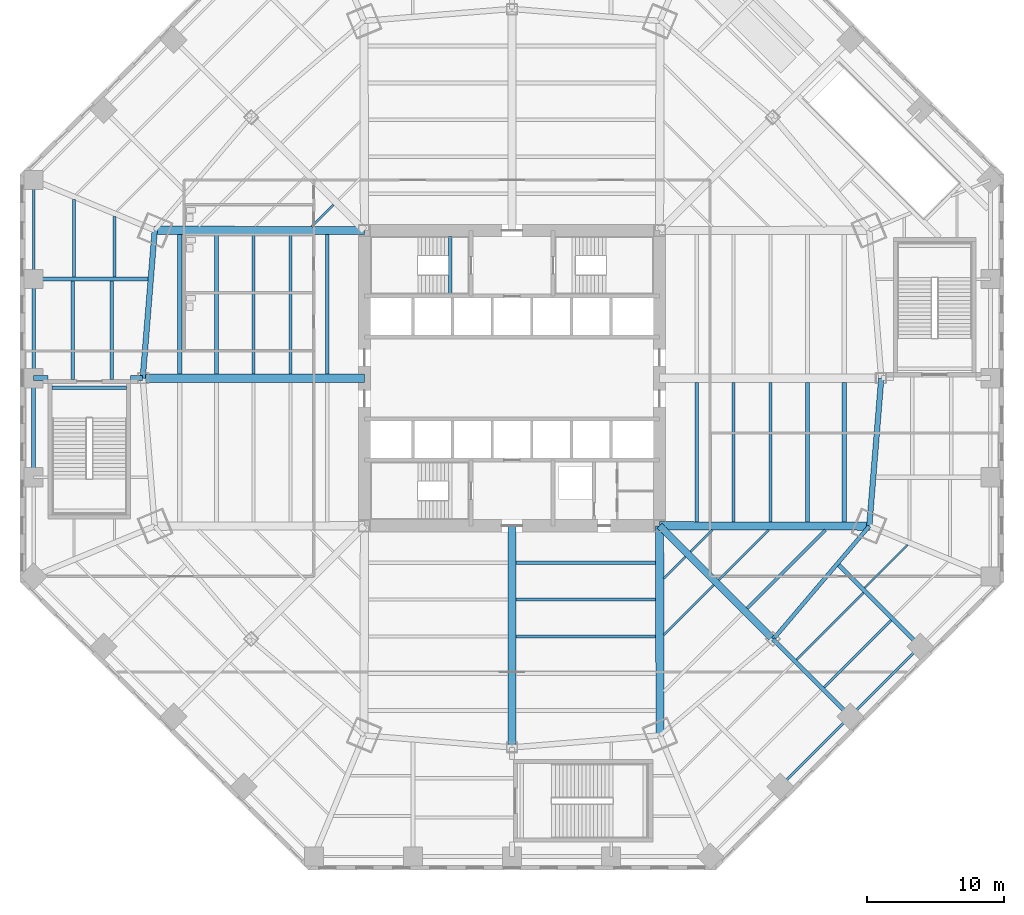
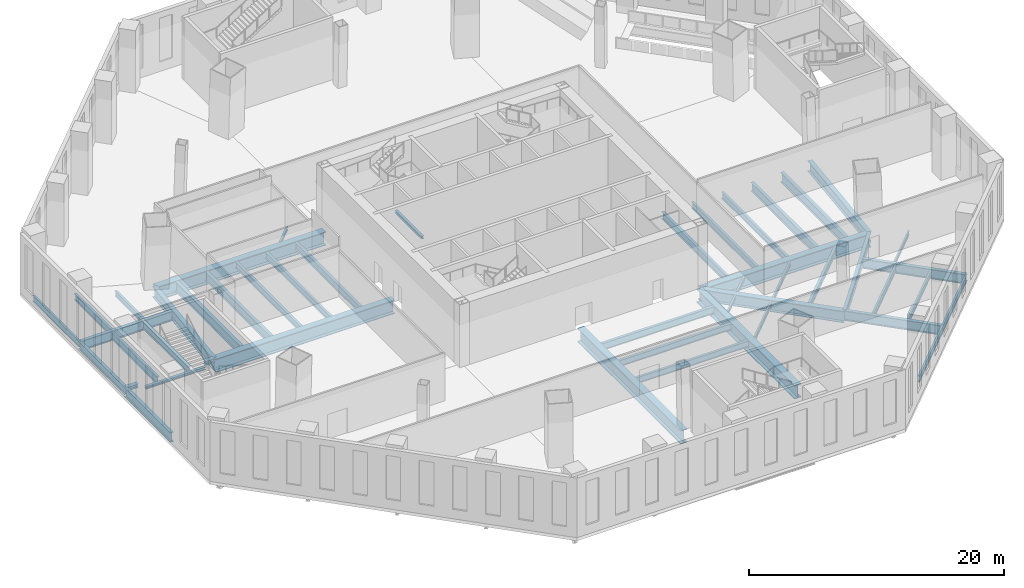
# One storey, part 3 of 20: 45 beams, 2 members.
"""IFC4 building model written with IfcOpenShell, lengths in metres."""

from ifc_helpers import new_model, si_unit, direction, frame, origin, origin_2d, place, context, subcontext, project, spatial, i_section, extrude, source, transform, mapped, material, material_profile, profile_set, type_object, type_shapes, element, save


model = new_model("IFC4")

# Units and contexts
model_context = context("Model", 3, precision=1e-05, world=origin(), true_north=direction((0.0, 1.0)))
body_context = subcontext(model_context, "Body", "Model", "MODEL_VIEW")
ifc_project = project(units=[si_unit("LENGTHUNIT", "METRE"), si_unit("AREAUNIT", "SQUARE_METRE"), si_unit("VOLUMEUNIT", "CUBIC_METRE"), si_unit("PLANEANGLEUNIT", "RADIAN"), si_unit("MASSUNIT", "GRAM", prefix="KILO")], contexts=[model_context])

# Site, building, storey
site_placement = place(None, origin())
site = spatial("IfcSite", under=ifc_project, at=site_placement, CompositionType="ELEMENT")
building_placement = place(site_placement, origin())
building = spatial("IfcBuilding", under=site, at=building_placement, Name="Mashrafa Tower", CompositionType="ELEMENT")
storey_placement = place(building_placement, frame((0.0, 0.0, 7.199951171875)))
storey = spatial("IfcBuildingStorey", under=building, at=storey_placement, Name="L01", CompositionType="ELEMENT", Elevation=7.199951171875)

# Beams
ifc_material_1 = material(Name="Steel ASTM A572 Gr 50", Category="steel")
ifc_material_profile_1 = material_profile(ifc_material_1, i_section(OverallWidth=0.5, OverallDepth=1.10009765625, WebThickness=0.02490234375, FlangeThickness=0.050048828125, at=origin_2d()), Name="H1100X500X25X50")
ifc_profile_set_1 = profile_set([ifc_material_profile_1], Name="Steel ASTM A572 Gr 50")
beam_type_1 = type_object("IfcBeamType", Name="Beam H1100X500X25X50", PredefinedType="BEAM", material=ifc_profile_set_1)
beam_1_placement = place(storey_placement, frame((10.800048828125, -10.800048828125, -0.849853515625), z_axis=(0.707106781187, -0.707106781187, 0.0), x_axis=(0.707106781187, 0.707106781187, 0.0)))
element("IfcBeam", 1, at=beam_1_placement, inside=storey, type_object=beam_type_1, Name="Radial girder L01 219", PredefinedType="BEAM", context=body_context, shape_type="SweptSolid", body=[
    extrude(i_section(OverallWidth=0.5, OverallDepth=1.10009765625, WebThickness=0.02490234375, FlangeThickness=0.050048828125, at=origin_2d()), origin(), (0.0, 0.0, 1.0), 11.74609375),
])
ifc_material_2 = material(Name="Steel ASTM A572 Gr 50", Category="steel")
ifc_material_profile_2 = material_profile(ifc_material_2, i_section(OverallWidth=0.60009765625, OverallDepth=1.300048828125, WebThickness=0.028076171875, FlangeThickness=0.06494140625, at=origin_2d()), Name="H1300X600X28X65")
ifc_profile_set_2 = profile_set([ifc_material_profile_2], Name="Steel ASTM A572 Gr 50")
beam_type_2 = type_object("IfcBeamType", Name="Beam H1300X600X28X65", PredefinedType="BEAM", material=ifc_profile_set_2)
beam_2_placement = place(storey_placement, frame((-10.800048828125, 0.0, -0.949951171875), z_axis=(-1.0, 0.0, 0.0), x_axis=(0.0, -1.0, 0.0)))
element("IfcBeam", 2, at=beam_2_placement, inside=storey, type_object=beam_type_2, Name="Radial girder L01 212", PredefinedType="BEAM", context=body_context, shape_type="SweptSolid", body=[
    extrude(i_section(OverallWidth=0.60009765625, OverallDepth=1.300048828125, WebThickness=0.028076171875, FlangeThickness=0.06494140625, at=origin_2d()), origin(), (0.0, 0.0, 1.0), 16.219482421875),
])
beam_3_placement = place(storey_placement, frame((-10.800048828125, 10.800048828125, -0.949951171875), z_axis=(-0.999998325366, 0.001830099739, 0.0), x_axis=(-0.001830099739, -0.999998325366, 0.0)))
element("IfcBeam", 3, at=beam_3_placement, inside=storey, type_object=beam_type_2, Name="Radial girder L01 213", PredefinedType="BEAM", context=body_context, shape_type="SweptSolid", body=[
    extrude(i_section(OverallWidth=0.60009765625, OverallDepth=1.300048828125, WebThickness=0.028076171875, FlangeThickness=0.06494140625, at=origin_2d()), origin(), (0.0, 0.0, 1.0), 15.34130859375),
])
beam_4_placement = place(storey_placement, frame((0.0, -10.800048828125, -0.949951171875), z_axis=(0.0, -1.0, 0.0), x_axis=(1.0, 0.0, 0.0)))
element("IfcBeam", 4, at=beam_4_placement, inside=storey, type_object=beam_type_2, Name="Radial girder L01 216", PredefinedType="BEAM", context=body_context, shape_type="SweptSolid", body=[
    extrude(i_section(OverallWidth=0.60009765625, OverallDepth=1.300048828125, WebThickness=0.028076171875, FlangeThickness=0.06494140625, at=origin_2d()), origin(), (0.0, 0.0, 1.0), 16.219482421875),
])
for number, where, z_axis, x_axis, name in (
    (5, (10.800048828125, -10.800048828125, -0.949951171875), (0.001830099739, -0.999998325366, 0.0), (0.999998325366, 0.001830099739, 0.0), "Radial girder L01 218"),
    (6, (10.800048828125, -10.800048828125, -0.949951171875), (0.999998325366, -0.001830099739, 0.0), (0.001830099739, 0.999998325366, 0.0), "Radial girder L01 220"),
):
    element("IfcBeam", number, at=place(storey_placement, frame(where, z_axis=z_axis, x_axis=x_axis)), inside=storey, type_object=beam_type_2, Name=name, PredefinedType="BEAM", context=body_context, shape_type="SweptSolid", body=[
        extrude(i_section(OverallWidth=0.60009765625, OverallDepth=1.300048828125, WebThickness=0.028076171875, FlangeThickness=0.06494140625, at=origin_2d()), origin(), (0.0, 0.0, 1.0), 15.34130859375),
    ])
ifc_material_3 = material(Name="Steel ASTM A992", Category="steel")
ifc_material_profile_3 = material_profile(ifc_material_3, i_section(OverallWidth=0.164794921875, OverallDepth=0.309814453125, WebThickness=0.005859375, FlangeThickness=0.009765625, FilletRadius=0.007568359375, at=origin_2d()), Name="W12X26")
ifc_profile_set_3 = profile_set([ifc_material_profile_3], Name="Steel ASTM A992")
beam_type_3 = type_object("IfcBeamType", Name="Beam W12X26", PredefinedType="BEAM", material=ifc_profile_set_3)
for number, where, z_axis, x_axis, name in (
    (7, (-14.645751953125, 11.107177734375, -0.454833984375), (0.707106781187, 0.707106781187, 0.0), (-0.707106781187, 0.707106781187, 0.0), "Floor beam L01 035"),
    (8, (12.69970703125, -13.05322265625, -0.454833984375), (-0.707106781187, -0.707106781187, 0.0), (0.707106781187, -0.707106781187, 0.0), "Floor beam L01 080"),
    (9, (14.645751953125, -11.107177734375, -0.454833984375), (-0.707106781187, -0.707106781187, 0.0), (0.707106781187, -0.707106781187, 0.0), "Floor beam L01 086"),
):
    element("IfcBeam", number, at=place(storey_placement, frame(where, z_axis=z_axis, x_axis=x_axis)), inside=storey, type_object=beam_type_3, Name=name, PredefinedType="BEAM", context=body_context, shape_type="SweptSolid", body=[
        extrude(i_section(OverallWidth=0.164794921875, OverallDepth=0.309814453125, WebThickness=0.005859375, FlangeThickness=0.009765625, FilletRadius=0.007568359375, at=origin_2d()), origin(), (0.0, 0.0, 1.0), 2.252197265625),
    ])
ifc_material_4 = material(Name="Steel ASTM A992", Category="steel")
ifc_material_profile_4 = material_profile(ifc_material_4, i_section(OverallWidth=0.140380859375, OverallDepth=0.40380859375, WebThickness=0.007080078125, FlangeThickness=0.01123046875, FilletRadius=0.01025390625, at=origin_2d()), Name="W16X31")
ifc_profile_set_4 = profile_set([ifc_material_profile_4], Name="Steel ASTM A992")
beam_type_4 = type_object("IfcBeamType", Name="Beam W16X31", PredefinedType="BEAM", material=ifc_profile_set_4)
beam_5_placement = place(storey_placement, frame((28.940673828125, -12.204833984375, -0.501953125), z_axis=(-0.707106781187, -0.707106781187, 0.0), x_axis=(0.707106781187, -0.707106781187, 0.0)))
element("IfcBeam", 10, at=beam_5_placement, inside=storey, type_object=beam_type_4, Name="Floor beam L01 111", PredefinedType="BEAM", context=body_context, shape_type="SweptSolid", body=[
    extrude(i_section(OverallWidth=0.140380859375, OverallDepth=0.40380859375, WebThickness=0.007080078125, FlangeThickness=0.01123046875, FilletRadius=0.01025390625, at=origin_2d()), origin(), (0.0, 0.0, 1.0), 4.431396484375),
])
ifc_material_5 = material(Name="Steel ASTM A992", Category="steel")
ifc_material_profile_5 = material_profile(ifc_material_5, i_section(OverallWidth=0.15234375, OverallDepth=0.449462890625, WebThickness=0.007568359375, FlangeThickness=0.0107421875, FilletRadius=0.01025390625, at=origin_2d()), Name="W18X35")
ifc_profile_set_5 = profile_set([ifc_material_profile_5], Name="Steel ASTM A992")
beam_type_5 = type_object("IfcBeamType", Name="Beam W18X35", PredefinedType="BEAM", material=ifc_profile_set_5)
for number, where, z_axis, x_axis, name in (
    (11, (14.776123046875, -15.129638671875, -0.524658203125), (-0.707106781187, -0.707106781187, 0.0), (0.707106781187, -0.707106781187, 0.0), "Floor beam L01 087"),
    (12, (18.791015625, -11.11474609375, -0.524658203125), (-0.707106781187, -0.707106781187, 0.0), (0.707106781187, -0.707106781187, 0.0), "Floor beam L01 099"),
):
    element("IfcBeam", number, at=place(storey_placement, frame(where, z_axis=z_axis, x_axis=x_axis)), inside=storey, type_object=beam_type_5, Name=name, PredefinedType="BEAM", context=body_context, shape_type="SweptSolid", body=[
        extrude(i_section(OverallWidth=0.15234375, OverallDepth=0.449462890625, WebThickness=0.007568359375, FlangeThickness=0.0107421875, FilletRadius=0.01025390625, at=origin_2d()), origin(), (0.0, 0.0, 1.0), 5.177978515625),
    ])
ifc_material_6 = material(Name="Steel ASTM A992", Category="steel")
ifc_material_profile_6 = material_profile(ifc_material_6, i_section(OverallWidth=0.1650390625, OverallDepth=0.52587890625, WebThickness=0.0087890625, FlangeThickness=0.011474609375, FilletRadius=0.0126953125, at=origin_2d()), Name="W21X44")
ifc_profile_set_6 = profile_set([ifc_material_profile_6], Name="Steel ASTM A992")
beam_type_6 = type_object("IfcBeamType", Name="Beam W21X44", PredefinedType="BEAM", material=ifc_profile_set_6)
beam_6_placement = place(storey_placement, frame((27.74609375, -17.712158203125, -0.562744140625), z_axis=(-0.707089195184, -0.707124366752, 0.0), x_axis=(0.707124366752, -0.707089195184, 0.0)))
element("IfcBeam", 13, at=beam_6_placement, inside=storey, type_object=beam_type_6, Name="Floor beam L01 109", PredefinedType="BEAM", context=body_context, shape_type="SweptSolid", body=[
    extrude(i_section(OverallWidth=0.1650390625, OverallDepth=0.52587890625, WebThickness=0.0087890625, FlangeThickness=0.011474609375, FilletRadius=0.0126953125, at=origin_2d()), origin(), (0.0, 0.0, 1.0), 6.94140625),
])
ifc_material_7 = material(Name="Steel ASTM A992", Category="steel")
ifc_material_profile_7 = material_profile(ifc_material_7, i_section(OverallWidth=0.209228515625, OverallDepth=0.533447265625, WebThickness=0.01025390625, FlangeThickness=0.015625, FilletRadius=0.012939453125, at=origin_2d()), Name="W21X62")
ifc_profile_set_7 = profile_set([ifc_material_profile_7], Name="Steel ASTM A992")
beam_type_7 = type_object("IfcBeamType", Name="Beam W21X62", PredefinedType="BEAM", material=ifc_profile_set_7)
beam_7_placement = place(storey_placement, frame((-29.09423828125, 7.40234375, -0.566650390625), z_axis=(0.0, 1.0, 0.0), x_axis=(-1.0, 0.0, 0.0)))
element("IfcBeam", 14, at=beam_7_placement, inside=storey, type_object=beam_type_7, Name="Floor beam L01 007", PredefinedType="BEAM", context=body_context, shape_type="SweptSolid", body=[
    extrude(i_section(OverallWidth=0.209228515625, OverallDepth=0.533447265625, WebThickness=0.01025390625, FlangeThickness=0.015625, FilletRadius=0.012939453125, at=origin_2d()), origin(), (0.0, 0.0, 1.0), 4.431640625),
])
ifc_material_8 = material(Name="Steel ASTM A992", Category="steel")
ifc_material_profile_8 = material_profile(ifc_material_8, i_section(OverallWidth=0.177978515625, OverallDepth=0.599365234375, WebThickness=0.010009765625, FlangeThickness=0.012939453125, FilletRadius=0.012939453125, at=origin_2d()), Name="W24X55")
ifc_profile_set_8 = profile_set([ifc_material_profile_8], Name="Steel ASTM A992")
beam_type_8 = type_object("IfcBeamType", Name="Beam W24X55", PredefinedType="BEAM", material=ifc_profile_set_8)
beam_8_placement = place(storey_placement, frame((25.7265625, -15.692626953125, -0.599609375), z_axis=(-0.707106781187, -0.707106781187, 0.0), x_axis=(0.707106781187, -0.707106781187, 0.0)))
element("IfcBeam", 15, at=beam_8_placement, inside=storey, type_object=beam_type_8, Name="Floor beam L01 108", PredefinedType="BEAM", context=body_context, shape_type="SweptSolid", body=[
    extrude(i_section(OverallWidth=0.177978515625, OverallDepth=0.599365234375, WebThickness=0.010009765625, FlangeThickness=0.012939453125, FilletRadius=0.012939453125, at=origin_2d()), origin(), (0.0, 0.0, 1.0), 6.941162109375),
])
for number, where, z_axis, x_axis, name in (
    (16, (-35.0, 14.49755859375, -0.599609375), (0.0, -1.0, 0.0), (1.0, 0.0, 0.0), "Podium edge beam L01 123"),
    (17, (19.623046875, -29.87451171875, -0.599609375), (0.707106781187, 0.707106781187, 0.0), (-0.707106781187, 0.707106781187, 0.0), "Podium edge beam L01 140"),
    (18, (24.748779296875, -24.748779296875, -0.599609375), (0.707106781187, 0.707106781187, 0.0), (-0.707106781187, 0.707106781187, 0.0), "Podium edge beam L01 142"),
):
    element("IfcBeam", number, at=place(storey_placement, frame(where, z_axis=z_axis, x_axis=x_axis)), inside=storey, type_object=beam_type_8, Name=name, PredefinedType="BEAM", context=body_context, shape_type="SweptSolid", body=[
        extrude(i_section(OverallWidth=0.177978515625, OverallDepth=0.599365234375, WebThickness=0.010009765625, FlangeThickness=0.012939453125, FilletRadius=0.012939453125, at=origin_2d()), origin(), (0.0, 0.0, 1.0), 7.248779296875),
    ])
ifc_material_9 = material(Name="Steel ASTM A992", Category="steel")
ifc_material_profile_9 = material_profile(ifc_material_9, i_section(OverallWidth=0.227783203125, OverallDepth=0.60205078125, WebThickness=0.010498046875, FlangeThickness=0.014892578125, FilletRadius=0.012939453125, at=origin_2d()), Name="W24X68")
ifc_profile_set_9 = profile_set([ifc_material_profile_9], Name="Steel ASTM A992")
beam_type_9 = type_object("IfcBeamType", Name="Beam W24X68", PredefinedType="BEAM", material=ifc_profile_set_9)
beam_9_placement = place(storey_placement, frame((-32.047119140625, 7.40234375, -0.600830078125), z_axis=(0.0, 1.0, 0.0), x_axis=(-1.0, 0.0, 0.0)))
element("IfcBeam", 19, at=beam_9_placement, inside=storey, type_object=beam_type_9, Name="Floor beam L01 003", PredefinedType="BEAM", context=body_context, shape_type="SweptSolid", body=[
    extrude(i_section(OverallWidth=0.227783203125, OverallDepth=0.60205078125, WebThickness=0.010498046875, FlangeThickness=0.014892578125, FilletRadius=0.012939453125, at=origin_2d()), origin(), (0.0, 0.0, 1.0), 5.65478515625),
])
beam_10_placement = place(storey_placement, frame((22.936279296875, -11.122314453125, -0.600830078125), z_axis=(-0.707106781187, -0.707106781187, 0.0), x_axis=(0.707106781187, -0.707106781187, 0.0)))
element("IfcBeam", 20, at=beam_10_placement, inside=storey, type_object=beam_type_9, Name="Floor beam L01 104", PredefinedType="BEAM", context=body_context, shape_type="SweptSolid", body=[
    extrude(i_section(OverallWidth=0.227783203125, OverallDepth=0.60205078125, WebThickness=0.010498046875, FlangeThickness=0.014892578125, FilletRadius=0.012939453125, at=origin_2d()), origin(), (0.0, 0.0, 1.0), 8.103759765625),
])
ifc_material_10 = material(Name="Steel ASTM A992", Category="steel")
ifc_material_profile_10 = material_profile(ifc_material_10, i_section(OverallWidth=0.228271484375, OverallDepth=0.607177734375, WebThickness=0.01123046875, FlangeThickness=0.017333984375, FilletRadius=0.0126953125, at=origin_2d()), Name="W24X76")
ifc_profile_set_10 = profile_set([ifc_material_profile_10], Name="Steel ASTM A992")
beam_type_10 = type_object("IfcBeamType", Name="Beam W24X76", PredefinedType="BEAM", material=ifc_profile_set_10)
beam_11_placement = place(storey_placement, frame((-18.909912109375, 0.300048828125, -0.603515625), z_axis=(0.0, 1.0, 0.0), x_axis=(-1.0, 0.0, 0.0)))
element("IfcBeam", 21, at=beam_11_placement, inside=storey, type_object=beam_type_10, Name="Floor beam L01 024", PredefinedType="BEAM", context=body_context, shape_type="SweptSolid", body=[
    extrude(i_section(OverallWidth=0.228271484375, OverallDepth=0.607177734375, WebThickness=0.01123046875, FlangeThickness=0.017333984375, FilletRadius=0.0126953125, at=origin_2d()), origin(), (0.0, 0.0, 1.0), 10.21484375),
])
for number, where, z_axis, x_axis, name in (
    (22, (-16.20654296875, 0.300048828125, -0.603515625), (0.0, 1.0, 0.0), (-1.0, 0.0, 0.0), "Floor beam L01 030"),
    (23, (10.510009765625, -16.20654296875, -0.603515625), (-1.0, 0.0, 0.0), (0.0, -1.0, 0.0), "Floor beam L01 072"),
):
    element("IfcBeam", number, at=place(storey_placement, frame(where, z_axis=z_axis, x_axis=x_axis)), inside=storey, type_object=beam_type_10, Name=name, PredefinedType="BEAM", context=body_context, shape_type="SweptSolid", body=[
        extrude(i_section(OverallWidth=0.228271484375, OverallDepth=0.607177734375, WebThickness=0.01123046875, FlangeThickness=0.017333984375, FilletRadius=0.0126953125, at=origin_2d()), origin(), (0.0, 0.0, 1.0), 10.2099609375),
    ])
beam_12_placement = place(storey_placement, frame((10.514892578125, -18.909912109375, -0.603515625), z_axis=(-1.0, 0.0, 0.0), x_axis=(0.0, -1.0, 0.0)))
element("IfcBeam", 24, at=beam_12_placement, inside=storey, type_object=beam_type_10, Name="Floor beam L01 073", PredefinedType="BEAM", context=body_context, shape_type="SweptSolid", body=[
    extrude(i_section(OverallWidth=0.228271484375, OverallDepth=0.607177734375, WebThickness=0.01123046875, FlangeThickness=0.017333984375, FilletRadius=0.0126953125, at=origin_2d()), origin(), (0.0, 0.0, 1.0), 10.21484375),
])
beam_13_placement = place(storey_placement, frame((16.20654296875, -0.300048828125, -0.603515625), z_axis=(0.0, -1.0, 0.0), x_axis=(1.0, 0.0, 0.0)))
element("IfcBeam", 25, at=beam_13_placement, inside=storey, type_object=beam_type_10, Name="Floor beam L01 091", PredefinedType="BEAM", context=body_context, shape_type="SweptSolid", body=[
    extrude(i_section(OverallWidth=0.228271484375, OverallDepth=0.607177734375, WebThickness=0.01123046875, FlangeThickness=0.017333984375, FilletRadius=0.0126953125, at=origin_2d()), origin(), (0.0, 0.0, 1.0), 10.2099609375),
])
beam_14_placement = place(storey_placement, frame((18.909912109375, -0.300048828125, -0.603515625), z_axis=(0.0, -1.0, 0.0), x_axis=(1.0, 0.0, 0.0)))
element("IfcBeam", 26, at=beam_14_placement, inside=storey, type_object=beam_type_10, Name="Floor beam L01 097", PredefinedType="BEAM", context=body_context, shape_type="SweptSolid", body=[
    extrude(i_section(OverallWidth=0.228271484375, OverallDepth=0.607177734375, WebThickness=0.01123046875, FlangeThickness=0.017333984375, FilletRadius=0.0126953125, at=origin_2d()), origin(), (0.0, 0.0, 1.0), 10.21484375),
])
ifc_material_11 = material(Name="Steel ASTM A992", Category="steel")
ifc_material_profile_11 = material_profile(ifc_material_11, i_section(OverallWidth=0.256591796875, OverallDepth=0.693359375, WebThickness=0.014404296875, FlangeThickness=0.023681640625, FilletRadius=0.01513671875, at=origin_2d()), Name="W27X114")
ifc_profile_set_11 = profile_set([ifc_material_profile_11], Name="Steel ASTM A992")
beam_type_11 = type_object("IfcBeamType", Name="Beam W27X114", PredefinedType="BEAM", material=ifc_profile_set_11)
beam_15_placement = place(storey_placement, frame((-29.28759765625, -0.10009765625, -0.646728515625), z_axis=(0.0, 1.0, 0.0), x_axis=(-1.0, 0.0, 0.0)))
element("IfcBeam", 27, at=beam_15_placement, inside=storey, type_object=beam_type_11, Name="Floor beam L01 005", PredefinedType="BEAM", context=body_context, shape_type="SweptSolid", body=[
    extrude(i_section(OverallWidth=0.256591796875, OverallDepth=0.693359375, WebThickness=0.014404296875, FlangeThickness=0.023681640625, FilletRadius=0.01513671875, at=origin_2d()), origin(), (0.0, 0.0, 1.0), 7.195068359375),
])
ifc_material_12 = material(Name="Steel ASTM A992", Category="steel")
ifc_material_profile_12 = material_profile(ifc_material_12, i_section(OverallWidth=0.25390625, OverallDepth=0.67822265625, WebThickness=0.01171875, FlangeThickness=0.016357421875, FilletRadius=0.01513671875, at=origin_2d()), Name="W27X84")
ifc_profile_set_12 = profile_set([ifc_material_profile_12], Name="Steel ASTM A992")
beam_type_12 = type_object("IfcBeamType", Name="Beam W27X84", PredefinedType="BEAM", material=ifc_profile_set_12)
for number, where, z_axis, x_axis, name in (
    (28, (-13.50341796875, 0.300048828125, -0.63916015625), (0.0, 1.0, 0.0), (-1.0, 0.0, 0.0), "Floor beam L01 037"),
    (29, (10.5048828125, -13.50341796875, -0.63916015625), (-1.0, 0.0, 0.0), (0.0, -1.0, 0.0), "Floor beam L01 070"),
    (30, (13.50341796875, -0.300048828125, -0.63916015625), (0.0, -1.0, 0.0), (1.0, 0.0, 0.0), "Floor beam L01 084"),
):
    element("IfcBeam", number, at=place(storey_placement, frame(where, z_axis=z_axis, x_axis=x_axis)), inside=storey, type_object=beam_type_12, Name=name, PredefinedType="BEAM", context=body_context, shape_type="SweptSolid", body=[
        extrude(i_section(OverallWidth=0.25390625, OverallDepth=0.67822265625, WebThickness=0.01171875, FlangeThickness=0.016357421875, FilletRadius=0.01513671875, at=origin_2d()), origin(), (0.0, 0.0, 1.0), 10.204833984375),
    ])
ifc_material_13 = material(Name="Steel ASTM A992", Category="steel")
ifc_material_profile_13 = material_profile(ifc_material_13, i_section(OverallWidth=0.25390625, OverallDepth=0.683349609375, WebThickness=0.012451171875, FlangeThickness=0.01904296875, FilletRadius=0.01513671875, at=origin_2d()), Name="W27X94")
ifc_profile_set_13 = profile_set([ifc_material_profile_13], Name="Steel ASTM A992")
beam_type_13 = type_object("IfcBeamType", Name="Beam W27X94", PredefinedType="BEAM", material=ifc_profile_set_13)
beam_16_placement = place(storey_placement, frame((-32.143798828125, -0.10009765625, -0.6416015625), z_axis=(0.0, 1.0, 0.0), x_axis=(-1.0, 0.0, 0.0)))
element("IfcBeam", 31, at=beam_16_placement, inside=storey, type_object=beam_type_13, Name="Floor beam L01 001", PredefinedType="BEAM", context=body_context, shape_type="SweptSolid", body=[
    extrude(i_section(OverallWidth=0.25390625, OverallDepth=0.683349609375, WebThickness=0.012451171875, FlangeThickness=0.01904296875, FilletRadius=0.01513671875, at=origin_2d()), origin(), (0.0, 0.0, 1.0), 7.195068359375),
])
ifc_material_14 = material(Name="Steel ASTM A992", Category="steel")
ifc_material_profile_14 = material_profile(ifc_material_14, i_section(OverallWidth=0.2666015625, OverallDepth=0.75439453125, WebThickness=0.01318359375, FlangeThickness=0.01708984375, FilletRadius=0.0166015625, at=origin_2d()), Name="W30X99")
ifc_profile_set_14 = profile_set([ifc_material_profile_14], Name="Steel ASTM A992")
beam_type_14 = type_object("IfcBeamType", Name="Beam W30X99", PredefinedType="BEAM", material=ifc_profile_set_14)
beam_17_placement = place(storey_placement, frame((-35.0, 7.248779296875, -0.67724609375), z_axis=(0.0, -1.0, 0.0), x_axis=(1.0, 0.0, 0.0)))
element("IfcBeam", 32, at=beam_17_placement, inside=storey, type_object=beam_type_14, Name="Podium edge beam L01 122", PredefinedType="BEAM", context=body_context, shape_type="SweptSolid", body=[
    extrude(i_section(OverallWidth=0.2666015625, OverallDepth=0.75439453125, WebThickness=0.01318359375, FlangeThickness=0.01708984375, FilletRadius=0.0166015625, at=origin_2d()), origin(), (0.0, 0.0, 1.0), 7.248779296875),
])
ifc_material_15 = material(Name="Steel ASTM A992", Category="steel")
ifc_material_profile_15 = material_profile(ifc_material_15, i_section(OverallWidth=0.2919921875, OverallDepth=0.8408203125, WebThickness=0.0146484375, FlangeThickness=0.021728515625, FilletRadius=0.017333984375, at=origin_2d()), Name="W33X130")
ifc_profile_set_15 = profile_set([ifc_material_profile_15], Name="Steel ASTM A992")
beam_type_15 = type_object("IfcBeamType", Name="Beam W33X130", PredefinedType="BEAM", material=ifc_profile_set_15)
beam_18_placement = place(storey_placement, frame((19.105712890625, -19.105712890625, -0.72021484375), z_axis=(0.647632111398, 0.761953179851, 0.0), x_axis=(-0.761953179851, 0.647632111398, 0.0)))
element("IfcBeam", 33, at=beam_18_placement, inside=storey, type_object=beam_type_15, Name="Podium ring girder L01 204", PredefinedType="BEAM", context=body_context, shape_type="SweptSolid", body=[
    extrude(i_section(OverallWidth=0.2919921875, OverallDepth=0.8408203125, WebThickness=0.0146484375, FlangeThickness=0.021728515625, FilletRadius=0.017333984375, at=origin_2d()), origin(), (0.0, 0.0, 1.0), 10.863525390625),
])
ifc_material_16 = material(Name="Steel ASTM A992", Category="steel")
ifc_material_profile_16 = material_profile(ifc_material_16, i_section(OverallWidth=0.2919921875, OverallDepth=0.845703125, WebThickness=0.015380859375, FlangeThickness=0.0244140625, FilletRadius=0.017333984375, at=origin_2d()), Name="W33X141")
ifc_profile_set_16 = profile_set([ifc_material_profile_16], Name="Steel ASTM A992")
beam_type_16 = type_object("IfcBeamType", Name="Beam W33X141", PredefinedType="BEAM", material=ifc_profile_set_16)
for number, where, z_axis, x_axis, name in (
    (34, (-21.613037109375, 0.300048828125, -0.722900390625), (0.0, 1.0, 0.0), (-1.0, 0.0, 0.0), "Floor beam L01 019"),
    (35, (21.613037109375, -0.300048828125, -0.722900390625), (0.0, -1.0, 0.0), (1.0, 0.0, 0.0), "Floor beam L01 101"),
):
    element("IfcBeam", number, at=place(storey_placement, frame(where, z_axis=z_axis, x_axis=x_axis)), inside=storey, type_object=beam_type_16, Name=name, PredefinedType="BEAM", context=body_context, shape_type="SweptSolid", body=[
        extrude(i_section(OverallWidth=0.2919921875, OverallDepth=0.845703125, WebThickness=0.015380859375, FlangeThickness=0.0244140625, FilletRadius=0.017333984375, at=origin_2d()), origin(), (0.0, 0.0, 1.0), 10.2197265625),
    ])
ifc_material_17 = material(Name="Steel ASTM A992", Category="steel")
ifc_material_profile_17 = material_profile(ifc_material_17, i_section(OverallWidth=0.3046875, OverallDepth=0.911865234375, WebThickness=0.015869140625, FlangeThickness=0.02392578125, FilletRadius=0.01904296875, at=origin_2d()), Name="W36X150")
ifc_profile_set_17 = profile_set([ifc_material_profile_17], Name="Steel ASTM A992")
beam_type_17 = type_object("IfcBeamType", Name="Beam W36X150", PredefinedType="BEAM", material=ifc_profile_set_17)
beam_19_placement = place(storey_placement, frame((-35.0, 0.0, -0.755859375), z_axis=(0.0, -1.0, 0.0), x_axis=(1.0, 0.0, 0.0)))
element("IfcBeam", 36, at=beam_19_placement, inside=storey, type_object=beam_type_17, Name="Podium edge beam L01 121", PredefinedType="BEAM", context=body_context, shape_type="SweptSolid", body=[
    extrude(i_section(OverallWidth=0.3046875, OverallDepth=0.911865234375, WebThickness=0.015869140625, FlangeThickness=0.02392578125, FilletRadius=0.01904296875, at=origin_2d()), origin(), (0.0, 0.0, 1.0), 7.248779296875),
])
ifc_material_18 = material(Name="Steel ASTM A992", Category="steel")
ifc_material_profile_18 = material_profile(ifc_material_18, i_section(OverallWidth=0.307373046875, OverallDepth=0.927001953125, WebThickness=0.01953125, FlangeThickness=0.031982421875, FilletRadius=0.01904296875, at=origin_2d()), Name="W36X194")
ifc_profile_set_18 = profile_set([ifc_material_profile_18], Name="Steel ASTM A992")
beam_type_18 = type_object("IfcBeamType", Name="Beam W36X194", PredefinedType="BEAM", material=ifc_profile_set_18)
for number, where, z_axis, x_axis, name in (
    (37, (-24.31640625, 0.300048828125, -0.763427734375), (0.0, 1.0, 0.0), (-1.0, 0.0, 0.0), "Floor beam L01 014"),
    (38, (24.31640625, -0.300048828125, -0.763427734375), (0.0, -1.0, 0.0), (1.0, 0.0, 0.0), "Floor beam L01 105"),
):
    element("IfcBeam", number, at=place(storey_placement, frame(where, z_axis=z_axis, x_axis=x_axis)), inside=storey, type_object=beam_type_18, Name=name, PredefinedType="BEAM", context=body_context, shape_type="SweptSolid", body=[
        extrude(i_section(OverallWidth=0.307373046875, OverallDepth=0.927001953125, WebThickness=0.01953125, FlangeThickness=0.031982421875, FilletRadius=0.01904296875, at=origin_2d()), origin(), (0.0, 0.0, 1.0), 10.224853515625),
    ])
beam_20_placement = place(storey_placement, frame((-26.6328125, 7.248779296875, -0.763427734375), z_axis=(-1.0, 0.0, 0.0), x_axis=(0.0, -1.0, 0.0)))
element("IfcBeam", 39, at=beam_20_placement, inside=storey, type_object=beam_type_18, Name="Podium radial beam L01 155", PredefinedType="BEAM", context=body_context, shape_type="SweptSolid", body=[
    extrude(i_section(OverallWidth=0.307373046875, OverallDepth=0.927001953125, WebThickness=0.01953125, FlangeThickness=0.031982421875, FilletRadius=0.01904296875, at=origin_2d()), origin(), (0.0, 0.0, 1.0), 8.3671875),
])
beam_21_placement = place(storey_placement, frame((19.105712890625, -19.105712890625, -0.763427734375), z_axis=(0.707106781187, -0.707106781187, 0.0), x_axis=(0.707106781187, 0.707106781187, 0.0)))
element("IfcBeam", 40, at=beam_21_placement, inside=storey, type_object=beam_type_18, Name="Podium radial beam L01 180", PredefinedType="BEAM", context=body_context, shape_type="SweptSolid", body=[
    extrude(i_section(OverallWidth=0.307373046875, OverallDepth=0.927001953125, WebThickness=0.01953125, FlangeThickness=0.031982421875, FilletRadius=0.01904296875, at=origin_2d()), origin(), (0.0, 0.0, 1.0), 7.98046875),
])
beam_22_placement = place(storey_placement, frame((23.919189453125, -13.66796875, -0.763427734375), z_axis=(0.707121275386, -0.70709228669, 0.0), x_axis=(0.70709228669, 0.707121275386, 0.0)))
element("IfcBeam", 41, at=beam_22_placement, inside=storey, type_object=beam_type_18, Name="Podium radial beam L01 182", PredefinedType="BEAM", context=body_context, shape_type="SweptSolid", body=[
    extrude(i_section(OverallWidth=0.307373046875, OverallDepth=0.927001953125, WebThickness=0.01953125, FlangeThickness=0.031982421875, FilletRadius=0.01904296875, at=origin_2d()), origin(), (0.0, 0.0, 1.0), 8.421875),
])
ifc_material_19 = material(Name="Steel ASTM A992", Category="steel")
ifc_material_profile_19 = material_profile(ifc_material_19, i_section(OverallWidth=0.4013671875, OverallDepth=1.010986328125, WebThickness=0.023681640625, FlangeThickness=0.0419921875, FilletRadius=0.02001953125, at=origin_2d()), Name="W40X297")
ifc_profile_set_19 = profile_set([ifc_material_profile_19], Name="Steel ASTM A992")
beam_type_19 = type_object("IfcBeamType", Name="Beam W40X297", PredefinedType="BEAM", material=ifc_profile_set_19)
for number, where, z_axis, x_axis, name in (
    (42, (-26.141357421875, 10.828125, -0.805419921875), (-0.080835781427, -0.996727433374, 0.0), (0.996727433374, -0.080835781427, 0.0), "Podium ring girder L01 195"),
    (43, (26.141357421875, -10.828125, -0.805419921875), (0.080835781427, 0.996727433374, 0.0), (-0.996727433374, 0.080835781427, 0.0), "Podium ring girder L01 206"),
):
    element("IfcBeam", number, at=place(storey_placement, frame(where, z_axis=z_axis, x_axis=x_axis)), inside=storey, type_object=beam_type_19, Name=name, PredefinedType="BEAM", context=body_context, shape_type="SweptSolid", body=[
        extrude(i_section(OverallWidth=0.4013671875, OverallDepth=1.010986328125, WebThickness=0.023681640625, FlangeThickness=0.0419921875, FilletRadius=0.02001953125, at=origin_2d()), origin(), (0.0, 0.0, 1.0), 10.86376953125),
    ])
ifc_material_20 = material(Name="Steel ASTM A992", Category="steel")
ifc_material_profile_20 = material_profile(ifc_material_20, i_section(OverallWidth=0.25390625, OverallDepth=0.25390625, WebThickness=0.008544921875, FlangeThickness=0.01416015625, FilletRadius=0.010009765625, at=origin_2d()), Name="W10X49")
ifc_profile_set_20 = profile_set([ifc_material_profile_20], Name="Steel ASTM A992")
beam_type_20 = type_object("IfcBeamType", Name="Hoistway beam W10X49", PredefinedType="BEAM", material=ifc_profile_set_20)
beam_23_placement = place(storey_placement, frame((-4.530029296875, 6.14990234375, -0.427001953125), z_axis=(0.0, 1.0, 0.0), x_axis=(-1.0, 0.0, 0.0)))
element("IfcBeam", 44, at=beam_23_placement, inside=storey, type_object=beam_type_20, Name="Stair S1 landing beam L01", PredefinedType="BEAM", context=body_context, shape_type="SweptSolid", body=[
    extrude(i_section(OverallWidth=0.25390625, OverallDepth=0.25390625, WebThickness=0.008544921875, FlangeThickness=0.01416015625, FilletRadius=0.010009765625, at=origin_2d()), origin(), (0.0, 0.0, 1.0), 4.2001953125),
])
beam_24_placement = place(storey_placement, frame((-33.64990234375, -0.699951171875, -0.427001953125), z_axis=(1.0, 0.0, 0.0), x_axis=(0.0, 1.0, 0.0)))
element("IfcBeam", 45, at=beam_24_placement, inside=storey, type_object=beam_type_20, Name="Stair P3 landing beam L01", PredefinedType="BEAM", context=body_context, shape_type="SweptSolid", body=[
    extrude(i_section(OverallWidth=0.25390625, OverallDepth=0.25390625, WebThickness=0.008544921875, FlangeThickness=0.01416015625, FilletRadius=0.010009765625, at=origin_2d()), origin(), (0.0, 0.0, 1.0), 5.449951171875),
])

# Members
ifc_material_21 = material(Name="Steel ASTM A992", Category="steel")
ifc_material_profile_21 = material_profile(ifc_material_21, i_section(OverallWidth=0.368408203125, OverallDepth=0.355712890625, WebThickness=0.01123046875, FlangeThickness=0.01806640625, FilletRadius=0.01513671875, at=origin_2d()), Name="W14X90")
ifc_profile_set_21 = profile_set([ifc_material_profile_21], Name="Steel ASTM A992")
member_type = type_object("IfcMemberType", Name="Tie strut W14X90", PredefinedType="STRUT", material=ifc_profile_set_21)
shared_shape_1 = source(origin(), body_context, "Body", "SweptSolid", [
    extrude(i_section(OverallWidth=0.368408203125, OverallDepth=0.355712890625, WebThickness=0.01123046875, FlangeThickness=0.01806640625, FilletRadius=0.01513671875, at=origin_2d()), origin(), (0.0, 0.0, 1.0), 1.050048828125),
])
member_1_placement = place(storey_placement, frame((-33.949951171875, 0.0, -0.477783203125), z_axis=(-1.0, 0.0, 0.0), x_axis=(0.0, -1.0, 0.0)))
element("IfcMember", 46, at=member_1_placement, inside=storey, type_object=member_type, Name="Tie strut L01 152", PredefinedType="STRUT", context=body_context, shape_type="MappedRepresentation", body=[
    mapped(shared_shape_1, transform((0.0, 0.0, 0.0))),
])
shared_shape_2 = source(origin(), body_context, "Body", "SweptSolid", [
    extrude(i_section(OverallWidth=0.368408203125, OverallDepth=0.355712890625, WebThickness=0.01123046875, FlangeThickness=0.01806640625, FilletRadius=0.01513671875, at=origin_2d()), origin(), (0.0, 0.0, 1.0), 0.88037109375),
])
type_shapes(member_type, [shared_shape_1, shared_shape_2])
member_2_placement = place(storey_placement, frame((-27.01953125, 0.0, -0.477783203125), z_axis=(-1.0, 0.0, 0.0), x_axis=(0.0, -1.0, 0.0)))
element("IfcMember", 47, at=member_2_placement, inside=storey, type_object=member_type, Name="Tie strut L01 153", PredefinedType="STRUT", context=body_context, shape_type="MappedRepresentation", body=[
    mapped(shared_shape_2, transform((0.0, 0.0, 0.0))),
])

save(model, "model.ifc")
